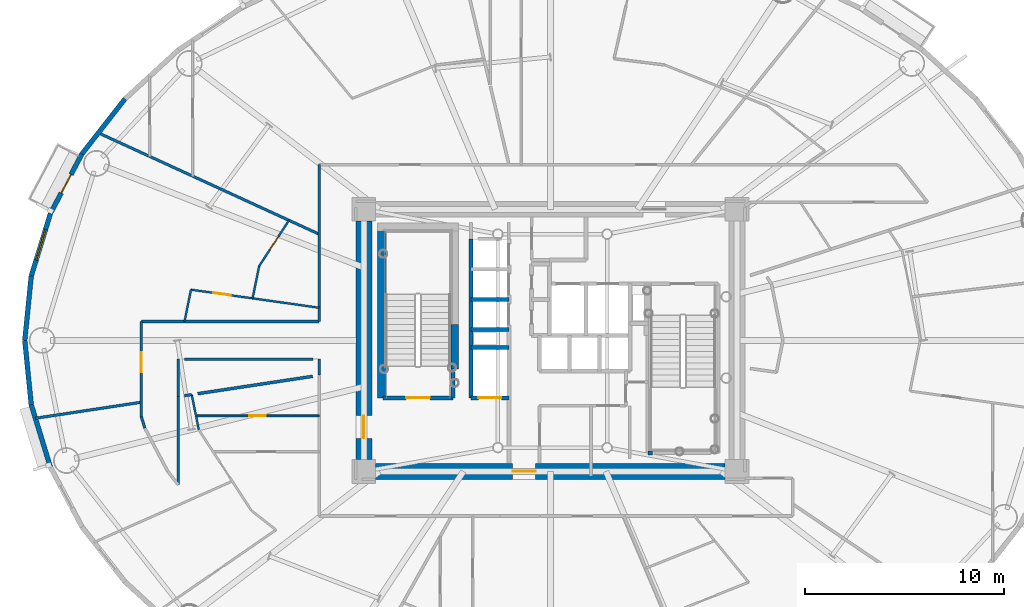
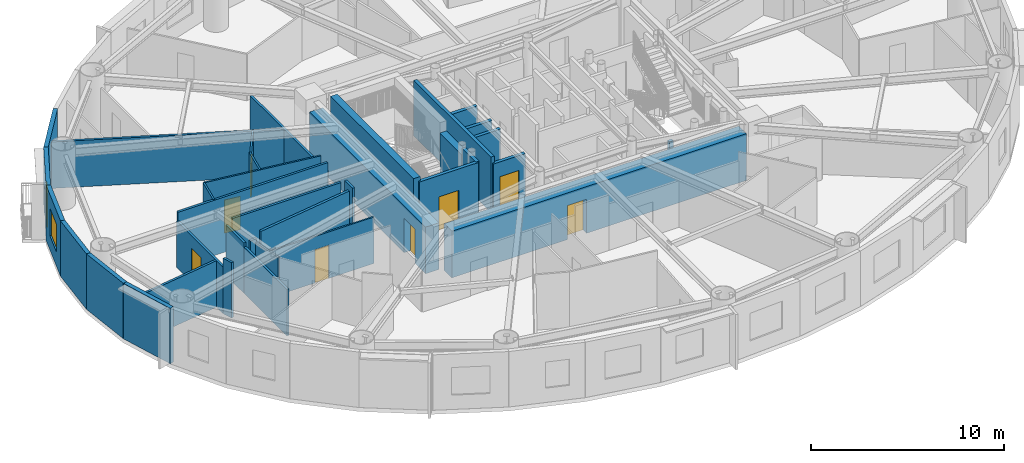
# One storey, part 10 of 21: 36 walls, 9 doors, 1 window, 10 openings.
"""IFC4 building model written with IfcOpenShell, lengths in metres."""

from ifc_helpers import new_model, si_unit, direction, frame, frame_2d, origin, origin_2d, place, context, subcontext, project, spatial, rectangle, extrude, source, transform, mapped, material, layer, layer_set, type_object, element, fill, save


model = new_model("IFC4")

# Units and contexts
model_context = context("Model", 3, precision=1e-05, world=origin(), true_north=direction((0.0, 1.0)))
body_context = subcontext(model_context, "Body", "Model", "MODEL_VIEW")
ifc_project = project(units=[si_unit("LENGTHUNIT", "METRE"), si_unit("AREAUNIT", "SQUARE_METRE"), si_unit("VOLUMEUNIT", "CUBIC_METRE"), si_unit("PLANEANGLEUNIT", "RADIAN"), si_unit("MASSUNIT", "GRAM", prefix="KILO")], contexts=[model_context])

# Site, building, storey
site_placement = place(None, origin())
site = spatial("IfcSite", under=ifc_project, at=site_placement, CompositionType="ELEMENT")
building_placement = place(site_placement, origin())
building = spatial("IfcBuilding", under=site, at=building_placement, Name="Linh Dai School and Residence Tower", CompositionType="ELEMENT")
storey_placement = place(building_placement, frame((0.0, 0.0, 156.14990234375)))
storey = spatial("IfcBuildingStorey", under=building, at=storey_placement, Name="L37", CompositionType="ELEMENT", Elevation=156.14990234375)

# Wall
ifc_material_1 = material(Name="Precast Concrete B45 (C35/45)", Category="concrete")
ifc_layer_1 = layer(ifc_material_1, 0.239990234375)
ifc_layer_set_1 = layer_set([ifc_layer_1], Name="Precast Concrete B45 (C35/45)")
wall_type_1 = type_object("IfcWallType", Name="EW-TC-240", PredefinedType="SOLIDWALL", material=ifc_layer_set_1)
wall_1_placement = place(storey_placement, frame((12.404052734375, 36.388427734375, 0.0), z_axis=(0.0, 0.0, 1.0), x_axis=(0.616287674549, 0.787521112224, 0.0)))
element("IfcWall", 1, at=wall_1_placement, inside=storey, type_object=wall_type_1, Name="L37 Terracotta Exterior Wall 17", PredefinedType="SOLIDWALL", context=body_context, shape_type="SweptSolid", body=[
    extrude(rectangle(XDim=3.517333984375, YDim=0.239990234375, at=frame_2d((1.7587890625, 0.0))), origin(), (0.0, 0.0, 1.0), 3.5),
])

# Wall, opening, door
wall_2_placement = place(storey_placement, frame((10.8173828125, 33.388916015625, 0.0), z_axis=(0.0, 0.0, 1.0), x_axis=(0.467586874938, 0.88394712194, 0.0)))
wall_2 = element("IfcWall", 2, at=wall_2_placement, inside=storey, type_object=wall_type_1, Name="L37 Terracotta Exterior Wall 18", PredefinedType="SOLIDWALL", context=body_context, shape_type="SweptSolid", body=[
    extrude(rectangle(XDim=3.393310546875, YDim=0.239990234375, at=frame_2d((1.69677734375, 0.0))), origin(), (0.0, 0.0, 1.0), 3.5),
])
opening_1_placement = place(wall_2_placement, frame((1.171630859375, 0.0, 0.0)))
opening_1 = element("IfcOpeningElement", 3, at=opening_1_placement, cuts=wall_2, Name="Opening BD1", PredefinedType="OPENING", context=body_context, shape_type="SweptSolid", body=[
    extrude(rectangle(XDim=1.050048828125, YDim=2.14990234375, at=origin_2d()), frame((0.52490234375, 0.1298828125, 1.074951171875), z_axis=(0.0, -1.0, 0.0), x_axis=(1.0, 0.0, 0.0)), (0.0, 0.0, 1.0), 0.260009765625),
])
ifc_material_2 = material(Name="Double-Glazed Balcony Door", Category="glass")
door_type_1 = type_object("IfcDoorType", Name="DR-BALC-1050x2150", OperationType="NOTDEFINED", PredefinedType="DOOR", material=ifc_material_2)
shared_shape_1 = source(origin(), body_context, "Body", "SweptSolid", [
    extrude(rectangle(XDim=1.050048828125, YDim=2.14990234375, at=origin_2d()), frame((0.52490234375, 0.02490234375, 1.074951171875), z_axis=(0.0, -1.0, 0.0), x_axis=(1.0, 0.0, 0.0)), (0.0, 0.0, 1.0), 0.050048828125),
])
door_1_placement = place(opening_1_placement, origin())
door_1 = element("IfcDoor", 4, at=door_1_placement, inside=storey, type_object=door_type_1, Name="L37 Glazed Balcony Door 18", OperationType="SINGLE_SWING_LEFT", OverallHeight=2.14990234375, OverallWidth=1.050048828125, PredefinedType="DOOR", context=body_context, shape_type="MappedRepresentation", body=[
    mapped(shared_shape_1, transform((0.0, 0.0, 0.0), x_axis=(1.0, 0.0, 0.0), y_axis=(0.0, 1.0, 0.0), z_axis=(0.0, 0.0, 1.0), scale=1.0)),
])
fill(opening_1, door_1)

# Wall, opening, window
wall_3_placement = place(storey_placement, frame((9.85009765625, 30.233642578125, 0.0), z_axis=(0.0, 0.0, 1.0), x_axis=(0.293097995113, 0.956082405058, 0.0)))
wall_3 = element("IfcWall", 5, at=wall_3_placement, inside=storey, type_object=wall_type_1, Name="L37 Terracotta Exterior Wall 19", PredefinedType="SOLIDWALL", context=body_context, shape_type="SweptSolid", body=[
    extrude(rectangle(XDim=3.30029296875, YDim=0.239990234375, at=frame_2d((1.650146484375, 0.0))), origin(), (0.0, 0.0, 1.0), 3.5),
])
opening_2_placement = place(wall_3_placement, frame((0.85009765625, 0.0, 0.89990234375)))
opening_2 = element("IfcOpeningElement", 6, at=opening_2_placement, cuts=wall_3, Name="Opening W2", PredefinedType="OPENING", context=body_context, shape_type="SweptSolid", body=[
    extrude(rectangle(XDim=1.60009765625, YDim=1.75, at=origin_2d()), frame((0.800048828125, 0.1298828125, 0.875), z_axis=(0.0, -1.0, 0.0), x_axis=(1.0, 0.0, 0.0)), (0.0, 0.0, 1.0), 0.260009765625),
])
ifc_material_3 = material(Name="Double Low-E Insulated Glazing", Category="glass")
window_type = type_object("IfcWindowType", Name="WN-RES-1600x1750", PartitioningType="DOUBLE_PANEL_VERTICAL", PredefinedType="WINDOW", material=ifc_material_3)
shared_shape_2 = source(origin(), body_context, "Body", "SweptSolid", [
    extrude(rectangle(XDim=1.60009765625, YDim=1.75, at=origin_2d()), frame((0.800048828125, 0.030029296875, 0.875), z_axis=(0.0, -1.0, 0.0), x_axis=(1.0, 0.0, 0.0)), (0.0, 0.0, 1.0), 0.06005859375),
])
window_placement = place(opening_2_placement, origin())
window = element("IfcWindow", 7, at=window_placement, inside=storey, type_object=window_type, Name="L37 Exterior Window 19.1", OverallHeight=1.75, OverallWidth=1.60009765625, PartitioningType="DOUBLE_PANEL_VERTICAL", PredefinedType="WINDOW", context=body_context, shape_type="MappedRepresentation", body=[
    mapped(shared_shape_2, transform((0.0, 0.0, 0.0), x_axis=(1.0, 0.0, 0.0), y_axis=(0.0, 1.0, 0.0), z_axis=(0.0, 0.0, 1.0), scale=1.0)),
])
fill(opening_2, window)

# Walls
for number, where, z_axis, x_axis, name in (
    (8, (9.52490234375, 27.0, 0.0), (0.0, 0.0, 1.0), (0.100061534614, 0.994981250723, 0.0), "L37 Terracotta Exterior Wall 20"),
    (9, (9.85009765625, 23.766357421875, 0.0), (0.0, 0.0, 1.0), (-0.100061534614, 0.994981250723, 0.0), "L37 Terracotta Exterior Wall 21"),
):
    element("IfcWall", number, at=place(storey_placement, frame(where, z_axis=z_axis, x_axis=x_axis)), inside=storey, type_object=wall_type_1, Name=name, PredefinedType="SOLIDWALL", context=body_context, shape_type="SweptSolid", body=[
        extrude(rectangle(XDim=3.25, YDim=0.239990234375, at=frame_2d((1.625, 0.0))), origin(), (0.0, 0.0, 1.0), 3.5),
    ])
wall_4_placement = place(storey_placement, frame((10.8173828125, 20.611083984375, 0.0), z_axis=(0.0, 0.0, 1.0), x_axis=(-0.293097995113, 0.956082405058, 0.0)))
element("IfcWall", 10, at=wall_4_placement, inside=storey, type_object=wall_type_1, Name="L37 Terracotta Exterior Wall 22", PredefinedType="SOLIDWALL", context=body_context, shape_type="SweptSolid", body=[
    extrude(rectangle(XDim=3.30029296875, YDim=0.239990234375, at=frame_2d((1.650146484375, 0.0))), origin(), (0.0, 0.0, 1.0), 3.5),
])
ifc_material_4 = material(Name="Autoclaved Aerated Concrete Blockwork", Category="masonry")
ifc_layer_2 = layer(ifc_material_4, 0.135009765625)
ifc_layer_set_2 = layer_set([ifc_layer_2], Name="Autoclaved Aerated Concrete Blockwork")
wall_type_2 = type_object("IfcWallType", Name="IW-CORR-135-EI90", PredefinedType="PARTITIONING", material=ifc_layer_set_2)
wall_5_placement = place(storey_placement, frame((10.056640625, 23.075439453125, 0.0), z_axis=(0.0, 0.0, 1.0), x_axis=(0.988756022356, 0.14953771516, 0.0)))
element("IfcWall", 11, at=wall_5_placement, inside=storey, type_object=wall_type_2, Name="L37 Interior Partition Wall 001", PredefinedType="PARTITIONING", context=body_context, shape_type="SweptSolid", body=[
    extrude(rectangle(XDim=5.404052734375, YDim=0.135009765625, at=frame_2d((2.7021484375, 0.0))), origin(), (0.0, 0.0, 1.0), 2.93505859375),
])
wall_6_placement = place(storey_placement, frame((13.228515625, 37.449951171875, 0.0), z_axis=(0.0, 0.0, 1.0), x_axis=(0.908867611309, -0.417084721746, 0.0)))
element("IfcWall", 12, at=wall_6_placement, inside=storey, type_object=wall_type_2, Name="L37 Interior Partition Wall 003", PredefinedType="PARTITIONING", context=body_context, shape_type="SweptSolid", body=[
    extrude(rectangle(XDim=12.23681640625, YDim=0.135009765625, at=frame_2d((6.118408203125, 0.0))), origin(), (0.0, 0.0, 1.0), 2.93505859375),
])

# Wall, opening, door
wall_7_placement = place(storey_placement, frame((15.39990234375, 23.14599609375, 0.0), z_axis=(0.0, 0.0, 1.0), x_axis=(0.0, 1.0, 0.0)))
wall_7 = element("IfcWall", 13, at=wall_7_placement, inside=storey, type_object=wall_type_2, Name="L37 Interior Partition Wall 004", PredefinedType="PARTITIONING", context=body_context, shape_type="SweptSolid", body=[
    extrude(rectangle(XDim=4.803955078125, YDim=0.135009765625, at=frame_2d((2.40185546875, 0.0))), origin(), (0.0, 0.0, 1.0), 2.93505859375),
])
opening_3_placement = place(wall_7_placement, frame((2.250732421875, 0.0, 0.0)))
opening_3 = element("IfcOpeningElement", 14, at=opening_3_placement, cuts=wall_7, Name="Opening D03", PredefinedType="OPENING", context=body_context, shape_type="SweptSolid", body=[
    extrude(rectangle(XDim=1.0, YDim=2.14990234375, at=origin_2d()), frame((0.5, 0.07763671875, 1.074951171875), z_axis=(0.0, -1.0, 0.0), x_axis=(1.0, 0.0, 0.0)), (0.0, 0.0, 1.0), 0.155029296875),
])
ifc_material_5 = material(Name="Fire-Rated Solid Timber Entrance Door", Category="wood")
door_type_2 = type_object("IfcDoorType", Name="DR-FLAT-1000x2150-FD60S", OperationType="NOTDEFINED", PredefinedType="DOOR", material=ifc_material_5)
shared_shape_3 = source(origin(), body_context, "Body", "SweptSolid", [
    extrude(rectangle(XDim=1.0, YDim=2.14990234375, at=origin_2d()), frame((0.5, 0.02490234375, 1.074951171875), z_axis=(0.0, -1.0, 0.0), x_axis=(1.0, 0.0, 0.0)), (0.0, 0.0, 1.0), 0.050048828125),
])
door_2_placement = place(opening_3_placement, origin())
door_2 = element("IfcDoor", 15, at=door_2_placement, inside=storey, type_object=door_type_2, Name="L37 U3704 Apartment Entrance Door", OperationType="SINGLE_SWING_RIGHT", OverallHeight=2.14990234375, OverallWidth=1.0, PredefinedType="DOOR", context=body_context, shape_type="MappedRepresentation", body=[
    mapped(shared_shape_3, transform((0.0, 0.0, 0.0), x_axis=(1.0, 0.0, 0.0), y_axis=(0.0, 1.0, 0.0), z_axis=(0.0, 0.0, 1.0), scale=1.0)),
])
fill(opening_3, door_2)

# Walls
wall_8_placement = place(storey_placement, frame((15.39990234375, 23.14599609375, 0.0), z_axis=(0.0, 0.0, 1.0), x_axis=(0.293335154151, -0.956009669061, 0.0)))
element("IfcWall", 16, at=wall_8_placement, inside=storey, type_object=wall_type_2, Name="L37 Interior Partition Wall 005", PredefinedType="PARTITIONING", context=body_context, shape_type="SweptSolid", body=[
    extrude(rectangle(XDim=0.59423828125, YDim=0.135009765625, at=frame_2d((0.297119140625, 0.0))), origin(), (0.0, 0.0, 1.0), 3.5),
])
wall_9_placement = place(storey_placement, frame((15.39990234375, 27.949951171875, 0.0), z_axis=(0.0, 0.0, 1.0), x_axis=(1.0, 0.0, 0.0)))
element("IfcWall", 17, at=wall_9_placement, inside=storey, type_object=wall_type_2, Name="L37 Interior Partition Wall 006", PredefinedType="PARTITIONING", context=body_context, shape_type="SweptSolid", body=[
    extrude(rectangle(XDim=8.9501953125, YDim=0.135009765625, at=frame_2d((4.47509765625, 0.0))), origin(), (0.0, 0.0, 1.0), 3.5),
])
wall_10_placement = place(storey_placement, frame((17.25, 19.734375, 0.0), z_axis=(0.0, 0.0, 1.0), x_axis=(0.0, 1.0, 0.0)))
element("IfcWall", 18, at=wall_10_placement, inside=storey, type_object=wall_type_2, Name="L37 Interior Partition Wall 011", PredefinedType="PARTITIONING", context=body_context, shape_type="SweptSolid", body=[
    extrude(rectangle(XDim=4.42919921875, YDim=0.135009765625, at=frame_2d((2.214599609375, 0.0))), origin(), (0.0, 0.0, 1.0), 2.93505859375),
])
wall_11_placement = place(storey_placement, frame((24.35009765625, 27.949951171875, 0.0), z_axis=(0.0, 0.0, 1.0), x_axis=(0.0, 1.0, 0.0)))
element("IfcWall", 19, at=wall_11_placement, inside=storey, type_object=wall_type_2, Name="L37 Interior Partition Wall 025", PredefinedType="PARTITIONING", context=body_context, shape_type="SweptSolid", body=[
    extrude(rectangle(XDim=7.900146484375, YDim=0.135009765625, at=frame_2d((3.9501953125, 0.0))), origin(), (0.0, 0.0, 1.0), 2.93505859375),
])
wall_12_placement = place(storey_placement, frame((17.25, 26.050048828125, 0.0), z_axis=(0.0, 0.0, 1.0), x_axis=(0.0, -1.0, 0.0)))
element("IfcWall", 20, at=wall_12_placement, inside=storey, type_object=wall_type_2, Name="L37 Interior Partition Wall 104", PredefinedType="PARTITIONING", context=body_context, shape_type="SweptSolid", body=[
    extrude(rectangle(XDim=1.87646484375, YDim=0.135009765625, at=frame_2d((0.938232421875, 0.0))), origin(), (0.0, 0.0, 1.0), 3.18505859375),
])
wall_13_placement = place(storey_placement, frame((24.35009765625, 25.24755859375, 0.0), z_axis=(0.0, 0.0, 1.0), x_axis=(0.0, 1.0, 0.0)))
element("IfcWall", 21, at=wall_13_placement, inside=storey, type_object=wall_type_2, Name="L37 Interior Partition Wall 113", PredefinedType="PARTITIONING", context=body_context, shape_type="SweptSolid", body=[
    extrude(rectangle(XDim=0.802490234375, YDim=0.135009765625, at=frame_2d((0.4013671875, 0.0))), origin(), (0.0, 0.0, 1.0), 3.5),
])
wall_14_placement = place(storey_placement, frame((24.04248046875, 26.050048828125, 0.0), z_axis=(0.0, 0.0, 1.0), x_axis=(-1.0, 0.0, 0.0)))
element("IfcWall", 22, at=wall_14_placement, inside=storey, type_object=wall_type_2, Name="L37 Interior Partition Wall 114", PredefinedType="PARTITIONING", context=body_context, shape_type="SweptSolid", body=[
    extrude(rectangle(XDim=6.48486328125, YDim=0.135009765625, at=frame_2d((3.242431640625, 0.0))), origin(), (0.0, 0.0, 1.0), 3.5),
])
wall_15_placement = place(storey_placement, frame((17.5576171875, 24.2099609375, 0.0), z_axis=(0.0, 0.0, 1.0), x_axis=(0.988703952477, 0.149881601124, 0.0)))
element("IfcWall", 23, at=wall_15_placement, inside=storey, type_object=wall_type_2, Name="L37 Interior Partition Wall 118", PredefinedType="PARTITIONING", context=body_context, shape_type="SweptSolid", body=[
    extrude(rectangle(XDim=0.379638671875, YDim=0.135009765625, at=frame_2d((0.18994140625, 0.0))), origin(), (0.0, 0.0, 1.0), 3.18505859375),
])
ifc_layer_3 = layer(ifc_material_4, 0.14990234375)
ifc_layer_set_3 = layer_set([ifc_layer_3], Name="Autoclaved Aerated Concrete Blockwork")
wall_type_3 = type_object("IfcWallType", Name="IW-SCH-150-EI60", PredefinedType="PARTITIONING", material=ifc_layer_set_3)
wall_16_placement = place(storey_placement, frame((18.23974609375, 24.313232421875, 0.0), z_axis=(0.0, 0.0, 1.0), x_axis=(0.988751262043, 0.149569187364, 0.0)))
element("IfcWall", 24, at=wall_16_placement, inside=storey, type_object=wall_type_3, Name="L37 Interior Partition Wall 119", PredefinedType="PARTITIONING", context=body_context, shape_type="SweptSolid", body=[
    extrude(rectangle(XDim=5.848388671875, YDim=0.14990234375, at=frame_2d((2.92431640625, 0.0))), origin(), (0.0, 0.0, 1.0), 3.5),
])

# Wall, opening, door
ifc_material_6 = material(Name="Concrete B45 (C35/45)", Category="concrete")
ifc_layer_4 = layer(ifc_material_6, 0.199951171875)
ifc_layer_set_4 = layer_set([ifc_layer_4], Name="Concrete B45 (C35/45)")
wall_type_4 = type_object("IfcWallType", Name="IW-SHAFT-200-EI120", PredefinedType="PARTITIONING", material=ifc_layer_set_4)
wall_17_placement = place(storey_placement, frame((27.56005859375, 24.10009765625, 0.0), z_axis=(0.0, 0.0, 1.0), x_axis=(1.0, 0.0, 0.0)))
wall_17 = element("IfcWall", 25, at=wall_17_placement, inside=storey, type_object=wall_type_4, Name="L37 Interior Partition Wall 029", PredefinedType="PARTITIONING", context=body_context, shape_type="SweptSolid", body=[
    extrude(rectangle(XDim=3.5400390625, YDim=0.199951171875, at=frame_2d((1.77001953125, 0.0))), origin(), (0.0, 0.0, 1.0), 3.5),
])
opening_4_placement = place(wall_17_placement, frame((1.169921875, 0.0, 0.0)))
opening_4 = element("IfcOpeningElement", 26, at=opening_4_placement, cuts=wall_17, Name="Opening D01", PredefinedType="OPENING", context=body_context, shape_type="SweptSolid", body=[
    extrude(rectangle(XDim=1.199951171875, YDim=2.14990234375, at=origin_2d()), frame((0.60009765625, 0.10986328125, 1.074951171875), z_axis=(0.0, -1.0, 0.0), x_axis=(1.0, 0.0, 0.0)), (0.0, 0.0, 1.0), 0.219970703125),
])
ifc_material_7 = material(Name="Fire-Rated Steel Door Leaf", Category="steel")
door_type_3 = type_object("IfcDoorType", Name="DR-STAIR-1200x2150-FD90S", OperationType="NOTDEFINED", PredefinedType="DOOR", material=ifc_material_7)
shared_shape_4 = source(origin(), body_context, "Body", "SweptSolid", [
    extrude(rectangle(XDim=1.199951171875, YDim=2.14990234375, at=origin_2d()), frame((0.60009765625, 0.02490234375, 1.074951171875), z_axis=(0.0, -1.0, 0.0), x_axis=(1.0, 0.0, 0.0)), (0.0, 0.0, 1.0), 0.050048828125),
])
door_3_placement = place(opening_4_placement, origin())
door_3 = element("IfcDoor", 27, at=door_3_placement, inside=storey, type_object=door_type_3, Name="L37 Core Smokeproof Exit Stair ST1 Door", OperationType="SINGLE_SWING_LEFT", OverallHeight=2.14990234375, OverallWidth=1.199951171875, PredefinedType="DOOR", context=body_context, shape_type="MappedRepresentation", body=[
    mapped(shared_shape_4, transform((0.0, 0.0, 0.0), x_axis=(1.0, 0.0, 0.0), y_axis=(0.0, 1.0, 0.0), z_axis=(0.0, 0.0, 1.0), scale=1.0)),
])
fill(opening_4, door_3)

# Walls
wall_18_placement = place(storey_placement, frame((31.10009765625, 24.10009765625, 0.0), z_axis=(0.0, 0.0, 1.0), x_axis=(0.0, 1.0, 0.0)))
element("IfcWall", 28, at=wall_18_placement, inside=storey, type_object=wall_type_4, Name="L37 Interior Partition Wall 034", PredefinedType="PARTITIONING", context=body_context, shape_type="SweptSolid", body=[
    extrude(rectangle(XDim=1.43994140625, YDim=0.199951171875, at=frame_2d((0.719970703125, 0.0))), origin(), (0.0, 0.0, 1.0), 3.5),
])
wall_19_placement = place(storey_placement, frame((32.0, 24.10009765625, 0.0), z_axis=(0.0, 0.0, 1.0), x_axis=(0.0, 1.0, 0.0)))
element("IfcWall", 29, at=wall_19_placement, inside=storey, type_object=wall_type_4, Name="L37 Interior Partition Wall 036", PredefinedType="PARTITIONING", context=body_context, shape_type="SweptSolid", body=[
    extrude(rectangle(XDim=8.0, YDim=0.199951171875, at=frame_2d((4.0, 0.0))), origin(), (0.0, 0.0, 1.0), 3.5),
])

# Wall, opening, door
wall_20_placement = place(storey_placement, frame((32.0, 24.10009765625, 0.0), z_axis=(0.0, 0.0, 1.0), x_axis=(1.0, 0.0, 0.0)))
wall_20 = element("IfcWall", 30, at=wall_20_placement, inside=storey, type_object=wall_type_4, Name="L37 Interior Partition Wall 037", PredefinedType="PARTITIONING", context=body_context, shape_type="SweptSolid", body=[
    extrude(rectangle(XDim=1.89990234375, YDim=0.199951171875, at=frame_2d((0.949951171875, 0.0))), origin(), (0.0, 0.0, 1.0), 3.085205078125),
])
opening_5_placement = place(wall_20_placement, frame((0.375, 0.0, 0.0)))
opening_5 = element("IfcOpeningElement", 31, at=opening_5_placement, cuts=wall_20, Name="Opening LD-FF2", PredefinedType="OPENING", context=body_context, shape_type="SweptSolid", body=[
    extrude(rectangle(XDim=1.14990234375, YDim=2.14990234375, at=origin_2d()), frame((0.574951171875, 0.10986328125, 1.074951171875), z_axis=(0.0, -1.0, 0.0), x_axis=(1.0, 0.0, 0.0)), (0.0, 0.0, 1.0), 0.219970703125),
])
ifc_material_8 = material(Name="Fire-Rated Stainless Steel Firefighting Lift Door", Category="steel")
door_type_4 = type_object("IfcDoorType", Name="DR-LD-FF-1150x2150-FD120", OperationType="DOUBLE_DOOR_SLIDING", PredefinedType="USERDEFINED", material=ifc_material_8)
shared_shape_5 = source(origin(), body_context, "Body", "SweptSolid", [
    extrude(rectangle(XDim=1.14990234375, YDim=2.14990234375, at=origin_2d()), frame((0.574951171875, 0.02490234375, 1.074951171875), z_axis=(0.0, -1.0, 0.0), x_axis=(1.0, 0.0, 0.0)), (0.0, 0.0, 1.0), 0.050048828125),
])
door_4_placement = place(opening_5_placement, origin())
door_4 = element("IfcDoor", 32, at=door_4_placement, inside=storey, type_object=door_type_4, Name="L37 Lift FF2 Sliding Landing Door", ObjectType="LANDING DOOR", OperationType="DOUBLE_DOOR_SLIDING", OverallHeight=2.14990234375, OverallWidth=1.14990234375, PredefinedType="USERDEFINED", context=body_context, shape_type="MappedRepresentation", body=[
    mapped(shared_shape_5, transform((0.0, 0.0, 0.0), x_axis=(1.0, 0.0, 0.0), y_axis=(0.0, 1.0, 0.0), z_axis=(0.0, 0.0, 1.0), scale=1.0)),
])
fill(opening_5, door_4)

# Walls
for number, where, z_axis, x_axis, name in (
    (33, (32.0, 26.64990234375, 0.0), (0.0, 0.0, 1.0), (1.0, 0.0, 0.0), "L37 Interior Partition Wall 038"),
    (34, (32.0, 27.550048828125, 0.0), (0.0, 0.0, 1.0), (1.0, 0.0, 0.0), "L37 Interior Partition Wall 039"),
    (35, (32.0, 29.06005859375, 0.0), (0.0, 0.0, 1.0), (1.0, 0.0, 0.0), "L37 Interior Partition Wall 040"),
):
    element("IfcWall", number, at=place(storey_placement, frame(where, z_axis=z_axis, x_axis=x_axis)), inside=storey, type_object=wall_type_4, Name=name, PredefinedType="PARTITIONING", context=body_context, shape_type="SweptSolid", body=[
        extrude(rectangle(XDim=1.89990234375, YDim=0.199951171875, at=frame_2d((0.949951171875, 0.0))), origin(), (0.0, 0.0, 1.0), 3.085205078125),
    ])
wall_21_placement = place(storey_placement, frame((40.89990234375, 21.330078125, 0.0), z_axis=(0.0, 0.0, 1.0), x_axis=(1.0, 0.0, 0.0)))
element("IfcWall", 36, at=wall_21_placement, inside=storey, type_object=wall_type_4, Name="L37 Interior Partition Wall 076", PredefinedType="PARTITIONING", context=body_context, shape_type="SweptSolid", body=[
    extrude(rectangle(XDim=0.25, YDim=0.199951171875, at=frame_2d((0.125, 0.0))), origin(), (0.0, 0.0, 1.0), 3.03515625),
])
ifc_material_9 = material(Name="Gypsum Plasterboard Acoustic Stud Partition", Category="masonry")
ifc_layer_5 = layer(ifc_material_9, 0.10009765625)
ifc_layer_set_5 = layer_set([ifc_layer_5], Name="Gypsum Plasterboard Acoustic Stud Partition")
wall_type_5 = type_object("IfcWallType", Name="IW-UNIT-100", PredefinedType="PARTITIONING", material=ifc_layer_set_5)
wall_22_placement = place(storey_placement, frame((17.572265625, 27.949951171875, 0.0), z_axis=(0.0, 0.0, 1.0), x_axis=(0.19821259699, 0.98015905158, 0.0)))
element("IfcWall", 37, at=wall_22_placement, inside=storey, type_object=wall_type_5, Name="L37 Interior Partition Wall 012", PredefinedType="PARTITIONING", context=body_context, shape_type="SweptSolid", body=[
    extrude(rectangle(XDim=1.634521484375, YDim=0.10009765625, at=frame_2d((0.8173828125, 0.0))), origin(), (0.0, 0.0, 1.0), 3.5),
])

# Wall, opening, door
wall_23_placement = place(storey_placement, frame((17.896240234375, 29.552001953125, 0.0), z_axis=(0.0, 0.0, 1.0), x_axis=(0.990212218954, -0.139569915938, 0.0)))
wall_23 = element("IfcWall", 38, at=wall_23_placement, inside=storey, type_object=wall_type_5, Name="L37 Interior Partition Wall 013", PredefinedType="PARTITIONING", context=body_context, shape_type="SweptSolid", body=[
    extrude(rectangle(XDim=6.517578125, YDim=0.10009765625, at=frame_2d((3.2587890625, 0.0))), origin(), (0.0, 0.0, 1.0), 3.5),
])
opening_6_placement = place(wall_23_placement, frame((1.13720703125, 0.0, 0.0)))
opening_6 = element("IfcOpeningElement", 39, at=opening_6_placement, cuts=wall_23, Name="Opening D05", PredefinedType="OPENING", context=body_context, shape_type="SweptSolid", body=[
    extrude(rectangle(XDim=0.89990234375, YDim=2.10009765625, at=origin_2d()), frame((0.449951171875, 0.06005859375, 1.050048828125), z_axis=(0.0, -1.0, 0.0), x_axis=(1.0, 0.0, 0.0)), (0.0, 0.0, 1.0), 0.1201171875),
])
ifc_material_10 = material(Name="Engineered Timber Internal Door", Category="wood")
door_type_5 = type_object("IfcDoorType", Name="DR-INT-900x2100", OperationType="NOTDEFINED", PredefinedType="DOOR", material=ifc_material_10)
shared_shape_6 = source(origin(), body_context, "Body", "SweptSolid", [
    extrude(rectangle(XDim=0.89990234375, YDim=2.10009765625, at=origin_2d()), frame((0.449951171875, 0.02490234375, 1.050048828125), z_axis=(0.0, -1.0, 0.0), x_axis=(1.0, 0.0, 0.0)), (0.0, 0.0, 1.0), 0.050048828125),
])
door_5_placement = place(opening_6_placement, origin())
door_5 = element("IfcDoor", 40, at=door_5_placement, inside=storey, type_object=door_type_5, Name="L37 Apartment U3704 Kitchen Door", OperationType="SINGLE_SWING_RIGHT", OverallHeight=2.10009765625, OverallWidth=0.89990234375, PredefinedType="DOOR", context=body_context, shape_type="MappedRepresentation", body=[
    mapped(shared_shape_6, transform((0.0, 0.0, 0.0), x_axis=(1.0, 0.0, 0.0), y_axis=(0.0, 1.0, 0.0), z_axis=(0.0, 0.0, 1.0), scale=1.0)),
])
fill(opening_6, door_5)

# Wall
wall_24_placement = place(storey_placement, frame((17.932861328125, 24.266845703125, 0.0), z_axis=(0.0, 0.0, 1.0), x_axis=(0.198166528342, -0.980168366682, 0.0)))
element("IfcWall", 41, at=wall_24_placement, inside=storey, type_object=wall_type_5, Name="L37 Interior Partition Wall 014", PredefinedType="PARTITIONING", context=body_context, shape_type="SweptSolid", body=[
    extrude(rectangle(XDim=1.80859375, YDim=0.10009765625, at=frame_2d((0.904296875, 0.0))), origin(), (0.0, 0.0, 1.0), 2.93505859375),
])

# Wall, opening, door
wall_25_placement = place(storey_placement, frame((18.149658203125, 23.194580078125, 0.0), z_axis=(0.0, 0.0, 1.0), x_axis=(1.0, 0.0, 0.0)))
wall_25 = element("IfcWall", 42, at=wall_25_placement, inside=storey, type_object=wall_type_5, Name="L37 Interior Partition Wall 016", PredefinedType="PARTITIONING", context=body_context, shape_type="SweptSolid", body=[
    extrude(rectangle(XDim=6.200439453125, YDim=0.10009765625, at=frame_2d((3.10009765625, 0.0))), origin(), (0.0, 0.0, 1.0), 2.93505859375),
])
opening_7_placement = place(wall_25_placement, frame((2.690185546875, 0.0, 0.0)))
opening_7 = element("IfcOpeningElement", 43, at=opening_7_placement, cuts=wall_25, Name="Opening D06", PredefinedType="OPENING", context=body_context, shape_type="SweptSolid", body=[
    extrude(rectangle(XDim=0.820068359375, YDim=2.10009765625, at=origin_2d()), frame((0.41015625, 0.06005859375, 1.050048828125), z_axis=(0.0, -1.0, 0.0), x_axis=(1.0, 0.0, 0.0)), (0.0, 0.0, 1.0), 0.1201171875),
])
ifc_material_11 = material(Name="Moisture-Resistant Timber Bathroom Door", Category="wood")
door_type_6 = type_object("IfcDoorType", Name="DR-WET-820x2100", OperationType="NOTDEFINED", PredefinedType="DOOR", material=ifc_material_11)
shared_shape_7 = source(origin(), body_context, "Body", "SweptSolid", [
    extrude(rectangle(XDim=0.820068359375, YDim=2.10009765625, at=origin_2d()), frame((0.41015625, 0.02490234375, 1.050048828125), z_axis=(0.0, -1.0, 0.0), x_axis=(1.0, 0.0, 0.0)), (0.0, 0.0, 1.0), 0.050048828125),
])
door_6_placement = place(opening_7_placement, origin())
door_6 = element("IfcDoor", 44, at=door_6_placement, inside=storey, type_object=door_type_6, Name="L37 Apartment U3705 Bathroom 1 Door", OperationType="SINGLE_SWING_LEFT", OverallHeight=2.10009765625, OverallWidth=0.820068359375, PredefinedType="DOOR", context=body_context, shape_type="MappedRepresentation", body=[
    mapped(shared_shape_7, transform((0.0, 0.0, 0.0), x_axis=(1.0, 0.0, 0.0), y_axis=(0.0, 1.0, 0.0), z_axis=(0.0, 0.0, 1.0), scale=1.0)),
])
fill(opening_7, door_6)

# Wall
wall_26_placement = place(storey_placement, frame((20.999755859375, 29.114501953125, 0.0), z_axis=(0.0, 0.0, 1.0), x_axis=(0.198219197437, 0.980157716782, 0.0)))
element("IfcWall", 45, at=wall_26_placement, inside=storey, type_object=wall_type_5, Name="L37 Interior Partition Wall 020", PredefinedType="PARTITIONING", context=body_context, shape_type="SweptSolid", body=[
    extrude(rectangle(XDim=1.651611328125, YDim=0.10009765625, at=frame_2d((0.82568359375, 0.0))), origin(), (0.0, 0.0, 1.0), 3.5),
])

# Wall, opening, door
wall_27_placement = place(storey_placement, frame((21.3271484375, 30.7333984375, 0.0), z_axis=(0.0, 0.0, 1.0), x_axis=(0.545365017792, 0.838198662233, 0.0)))
wall_27 = element("IfcWall", 46, at=wall_27_placement, inside=storey, type_object=wall_type_5, Name="L37 Interior Partition Wall 021", PredefinedType="PARTITIONING", context=body_context, shape_type="SweptSolid", body=[
    extrude(rectangle(XDim=2.75634765625, YDim=0.10009765625, at=frame_2d((1.378173828125, 0.0))), origin(), (0.0, 0.0, 1.0), 2.93505859375),
])
opening_8_placement = place(wall_27_placement, frame((0.968017578125, 0.0, 0.0)))
opening_8 = element("IfcOpeningElement", 47, at=opening_8_placement, cuts=wall_27, Name="Opening D06", PredefinedType="OPENING", context=body_context, shape_type="SweptSolid", body=[
    extrude(rectangle(XDim=0.820068359375, YDim=2.10009765625, at=origin_2d()), frame((0.41015625, 0.06005859375, 1.050048828125), z_axis=(0.0, -1.0, 0.0), x_axis=(1.0, 0.0, 0.0)), (0.0, 0.0, 1.0), 0.1201171875),
])
door_7_placement = place(opening_8_placement, origin())
door_7 = element("IfcDoor", 48, at=door_7_placement, inside=storey, type_object=door_type_6, Name="L37 Apartment U3704 Bathroom Door", OperationType="SINGLE_SWING_LEFT", OverallHeight=2.10009765625, OverallWidth=0.820068359375, PredefinedType="DOOR", context=body_context, shape_type="MappedRepresentation", body=[
    mapped(shared_shape_7, transform((0.0, 0.0, 0.0), x_axis=(1.0, 0.0, 0.0), y_axis=(0.0, 1.0, 0.0), z_axis=(0.0, 0.0, 1.0), scale=1.0)),
])
fill(opening_8, door_7)

# Walls
ifc_layer_6 = layer(ifc_material_6, 0.39990234375)
ifc_layer_set_6 = layer_set([ifc_layer_6], Name="Concrete B45 (C35/45)")
wall_type_6 = type_object("IfcWallType", Name="WL-CORE400", PredefinedType="SHEAR", material=ifc_layer_set_6)
wall_28_placement = place(storey_placement, frame((27.47998046875, 24.10009765625, 0.0), z_axis=(0.0, 0.0, 1.0), x_axis=(0.0, 1.0, 0.0)))
element("IfcWall", 49, at=wall_28_placement, inside=storey, type_object=wall_type_6, Name="L37 Core Stair ST1 Bearing Wall W", PredefinedType="SHEAR", context=body_context, shape_type="SweptSolid", body=[
    extrude(rectangle(XDim=8.599853515625, YDim=0.39990234375, at=frame_2d((4.2998046875, 0.0))), origin(), (0.0, 0.0, 1.0), 3.75),
])
wall_29_placement = place(storey_placement, frame((31.179931640625, 25.550048828125, 0.0), z_axis=(0.0, 0.0, 1.0), x_axis=(0.0, 1.0, 0.0)))
element("IfcWall", 50, at=wall_29_placement, inside=storey, type_object=wall_type_6, Name="L37 Internal Core Shear Wall IW", PredefinedType="SHEAR", context=body_context, shape_type="SweptSolid", body=[
    extrude(rectangle(XDim=2.25, YDim=0.39990234375, at=frame_2d((1.125, 0.0))), origin(), (0.0, 0.0, 1.0), 3.10009765625),
])

# Wall, opening, door
ifc_material_12 = material(Name="Concrete B60 (C50/60)", Category="concrete")
ifc_layer_7 = layer(ifc_material_12, 0.800048828125)
ifc_layer_set_7 = layer_set([ifc_layer_7], Name="Concrete B60 (C50/60)")
wall_type_7 = type_object("IfcWallType", Name="WL-CORE800", PredefinedType="SHEAR", material=ifc_layer_set_7)
wall_30_placement = place(storey_placement, frame((44.800048828125, 20.39990234375, 0.0), z_axis=(0.0, 0.0, 1.0), x_axis=(-1.0, 0.0, 0.0)))
wall_30 = element("IfcWall", 51, at=wall_30_placement, inside=storey, type_object=wall_type_7, Name="L37 Central Core Shear Wall S", PredefinedType="SHEAR", context=body_context, shape_type="SweptSolid", body=[
    extrude(rectangle(XDim=17.60009765625, YDim=0.800048828125, at=frame_2d((8.800048828125, 0.0))), origin(), (0.0, 0.0, 1.0), 2.9501953125),
])
opening_9_placement = place(wall_30_placement, frame((9.550048828125, 0.0, 0.0)))
opening_9 = element("IfcOpeningElement", 52, at=opening_9_placement, cuts=wall_30, Name="Opening D02", PredefinedType="OPENING", context=body_context, shape_type="SweptSolid", body=[
    extrude(rectangle(XDim=1.14990234375, YDim=2.14990234375, at=origin_2d()), frame((0.574951171875, 0.41015625, 1.074951171875), z_axis=(0.0, -1.0, 0.0), x_axis=(1.0, 0.0, 0.0)), (0.0, 0.0, 1.0), 0.820068359375),
])
ifc_material_13 = material(Name="Fire-Rated Glazed Steel Lobby Door", Category="steel")
door_type_7 = type_object("IfcDoorType", Name="DR-LOBBY-1150x2150-FD90S", OperationType="NOTDEFINED", PredefinedType="DOOR", material=ifc_material_13)
shared_shape_8 = source(origin(), body_context, "Body", "SweptSolid", [
    extrude(rectangle(XDim=1.14990234375, YDim=2.14990234375, at=origin_2d()), frame((0.574951171875, 0.02490234375, 1.074951171875), z_axis=(0.0, -1.0, 0.0), x_axis=(1.0, 0.0, 0.0)), (0.0, 0.0, 1.0), 0.050048828125),
])
door_8_placement = place(opening_9_placement, origin())
door_8 = element("IfcDoor", 53, at=door_8_placement, inside=storey, type_object=door_type_7, Name="L37 Passenger Foyer Access Door", OperationType="SINGLE_SWING_RIGHT", OverallHeight=2.14990234375, OverallWidth=1.14990234375, PredefinedType="DOOR", context=body_context, shape_type="MappedRepresentation", body=[
    mapped(shared_shape_8, transform((0.0, 0.0, 0.0), x_axis=(1.0, 0.0, 0.0), y_axis=(0.0, 1.0, 0.0), z_axis=(0.0, 0.0, 1.0), scale=1.0)),
])
fill(opening_9, door_8)

wall_31_placement = place(storey_placement, frame((26.60009765625, 21.0, 0.0), z_axis=(0.0, 0.0, 1.0), x_axis=(0.0, 1.0, 0.0)))
wall_31 = element("IfcWall", 54, at=wall_31_placement, inside=storey, type_object=wall_type_7, Name="L37 Central Core Shear Wall W", PredefinedType="SHEAR", context=body_context, shape_type="SweptSolid", body=[
    extrude(rectangle(XDim=12.0, YDim=0.800048828125, at=frame_2d((6.0, 0.0))), origin(), (0.0, 0.0, 1.0), 2.9501953125),
])
opening_10_placement = place(wall_31_placement, frame((1.061279296875, 0.0, 0.0)))
opening_10 = element("IfcOpeningElement", 55, at=opening_10_placement, cuts=wall_31, Name="Opening D02", PredefinedType="OPENING", context=body_context, shape_type="SweptSolid", body=[
    extrude(rectangle(XDim=1.14990234375, YDim=2.14990234375, at=origin_2d()), frame((0.574951171875, 0.41015625, 1.074951171875), z_axis=(0.0, -1.0, 0.0), x_axis=(1.0, 0.0, 0.0)), (0.0, 0.0, 1.0), 0.820068359375),
])
door_9_placement = place(opening_10_placement, origin())
door_9 = element("IfcDoor", 56, at=door_9_placement, inside=storey, type_object=door_type_7, Name="L37 Firefighting Lobby Door", OperationType="SINGLE_SWING_RIGHT", OverallHeight=2.14990234375, OverallWidth=1.14990234375, PredefinedType="DOOR", context=body_context, shape_type="MappedRepresentation", body=[
    mapped(shared_shape_8, transform((0.0, 0.0, 0.0), x_axis=(1.0, 0.0, 0.0), y_axis=(0.0, 1.0, 0.0), z_axis=(0.0, 0.0, 1.0), scale=1.0)),
])
fill(opening_10, door_9)

save(model, "model.ifc")
